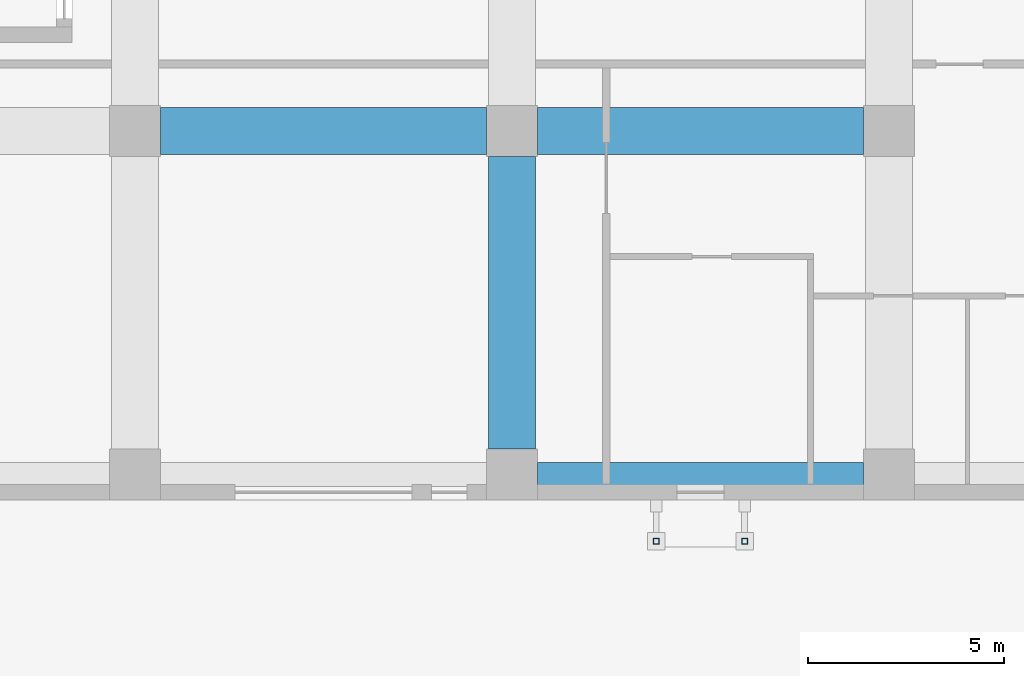
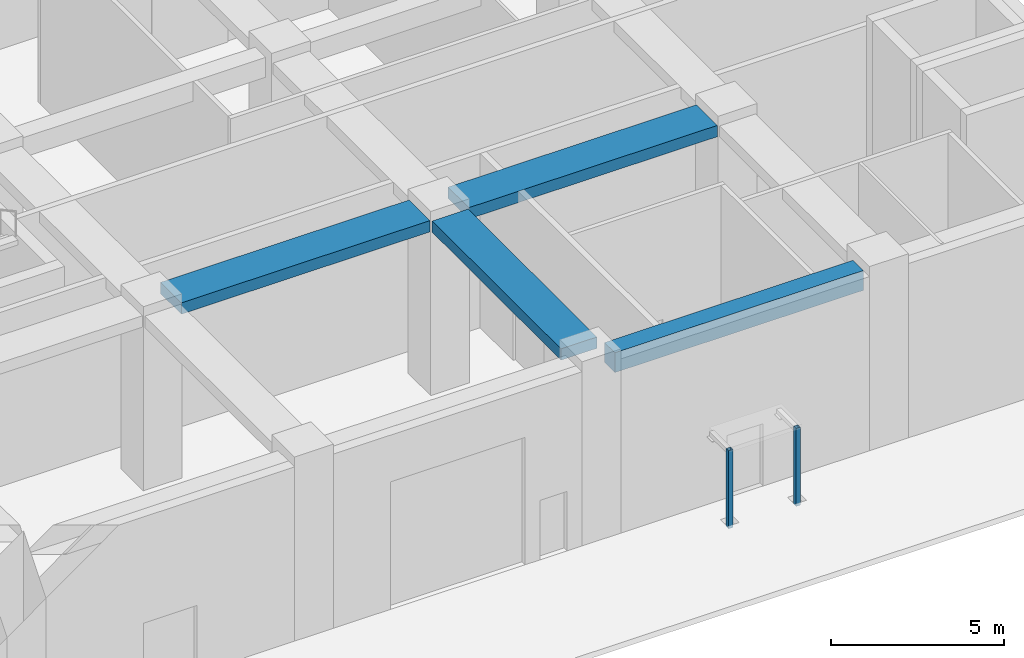
# One storey, part 2 of 45: 4 beams, 2 members.
"""IFC4 building model written with IfcOpenShell, lengths in metres."""

from ifc_helpers import new_model, si_unit, direction, frame, origin, origin_2d, place, context, subcontext, project, spatial, rectangle, hollow_rectangle, extrude, material, material_profile, profile_set, type_object, element, save


model = new_model("IFC4")

# Units and contexts
model_context = context("Model", 3, precision=1e-05, world=origin(), true_north=direction((0.0, 1.0)))
body_context = subcontext(model_context, "Body", "Model", "MODEL_VIEW")
ifc_project = project(units=[si_unit("LENGTHUNIT", "METRE"), si_unit("AREAUNIT", "SQUARE_METRE"), si_unit("VOLUMEUNIT", "CUBIC_METRE"), si_unit("PLANEANGLEUNIT", "RADIAN"), si_unit("MASSUNIT", "GRAM", prefix="KILO")], contexts=[model_context])

# Site, building, storey
site_placement = place(None, origin())
site = spatial("IfcSite", under=ifc_project, at=site_placement, CompositionType="ELEMENT")
building_placement = place(site_placement, origin())
building = spatial("IfcBuilding", under=site, at=building_placement, Name="Nzadi Deep Aquarium and Research Tower", CompositionType="ELEMENT")
storey_placement = place(building_placement, origin())
storey = spatial("IfcBuildingStorey", under=building, at=storey_placement, Name="G", CompositionType="ELEMENT", Elevation=0.0)

# Beams
ifc_material_1 = material(Name="Concrete C35/45", Category="concrete")
ifc_material_profile_1 = material_profile(ifc_material_1, rectangle(XDim=1.199951171875, YDim=0.39990234375, at=origin_2d()))
ifc_profile_set_1 = profile_set([ifc_material_profile_1], Name="Concrete C35/45")
beam_type_1 = type_object("IfcBeamType", Name="RC 1200x400", PredefinedType="BEAM", material=ifc_profile_set_1)
for number, where, z_axis, x_axis, name in (
    (1, (29.449951171875, 9.199951171875, 5.949951171875), (1.0, 0.0, 0.0), (0.0, 1.0, 0.0), "B-Z1-G-L2-4"),
    (2, (39.050048828125, 9.199951171875, 5.949951171875), (1.0, 0.0, 0.0), (0.0, 1.0, 0.0), "B-Z1-G-L2-5"),
):
    element("IfcBeam", number, at=place(storey_placement, frame(where, z_axis=z_axis, x_axis=x_axis)), inside=storey, type_object=beam_type_1, Name=name, PredefinedType="BEAM", context=body_context, shape_type="SweptSolid", body=[
        extrude(rectangle(XDim=1.199951171875, YDim=0.39990234375, at=origin_2d()), origin(), (0.0, 0.0, 1.0), 8.300048828125),
    ])
beam_1_placement = place(storey_placement, frame((38.39990234375, 1.10009765625, 5.949951171875), z_axis=(0.0, 1.0, 0.0), x_axis=(-1.0, 0.0, 0.0)))
element("IfcBeam", 3, at=beam_1_placement, inside=storey, type_object=beam_type_1, Name="B-Z1-G-CE-1-1", PredefinedType="BEAM", context=body_context, shape_type="SweptSolid", body=[
    extrude(rectangle(XDim=1.199951171875, YDim=0.39990234375, at=origin_2d()), origin(), (0.0, 0.0, 1.0), 7.449951171875),
])
ifc_material_2 = material(Name="Concrete C35/45", Category="concrete")
ifc_material_profile_2 = material_profile(ifc_material_2, rectangle(XDim=0.60009765625, YDim=0.699951171875, at=origin_2d()))
ifc_profile_set_2 = profile_set([ifc_material_profile_2], Name="Concrete C35/45")
beam_type_2 = type_object("IfcBeamType", Name="RC 600x700", PredefinedType="BEAM", material=ifc_profile_set_2)
beam_2_placement = place(storey_placement, frame((39.050048828125, 0.449951171875, 5.800048828125), z_axis=(1.0, 0.0, 0.0), x_axis=(0.0, 1.0, 0.0)))
element("IfcBeam", 4, at=beam_2_placement, inside=storey, type_object=beam_type_2, Name="B-Z1-G-L1-5", PredefinedType="BEAM", context=body_context, shape_type="SweptSolid", body=[
    extrude(rectangle(XDim=0.60009765625, YDim=0.699951171875, at=origin_2d()), origin(), (0.0, 0.0, 1.0), 8.300048828125),
])

# Members
ifc_material_3 = material(Name="Structural steel S355", Category="steel")
ifc_material_profile_3 = material_profile(ifc_material_3, hollow_rectangle(XDim=0.14990234375, YDim=0.14990234375, WallThickness=0.008056640625, at=origin_2d()))
ifc_profile_set_3 = profile_set([ifc_material_profile_3], Name="Structural steel S355")
member_type = type_object("IfcMemberType", Name="RHS 150x150x8", PredefinedType="RAFTER", material=ifc_profile_set_3)
for number, where, z_axis, x_axis, name in (
    (5, (42.074951171875, -1.25, -0.199951171875), (0.0, 0.0, 1.0), (1.0, 0.0, 0.0), "Canopy post"),
    (6, (44.324951171875, -1.25, -0.199951171875), (0.0, 0.0, 1.0), (1.0, 0.0, 0.0), "Canopy post"),
):
    element("IfcMember", number, at=place(storey_placement, frame(where, z_axis=z_axis, x_axis=x_axis)), inside=storey, type_object=member_type, Name=name, PredefinedType="POST", context=body_context, shape_type="SweptSolid", body=[
        extrude(hollow_rectangle(XDim=0.14990234375, YDim=0.14990234375, WallThickness=0.008056640625, at=origin_2d()), origin(), (0.0, 0.0, 1.0), 2.75),
    ])

save(model, "model.ifc")
